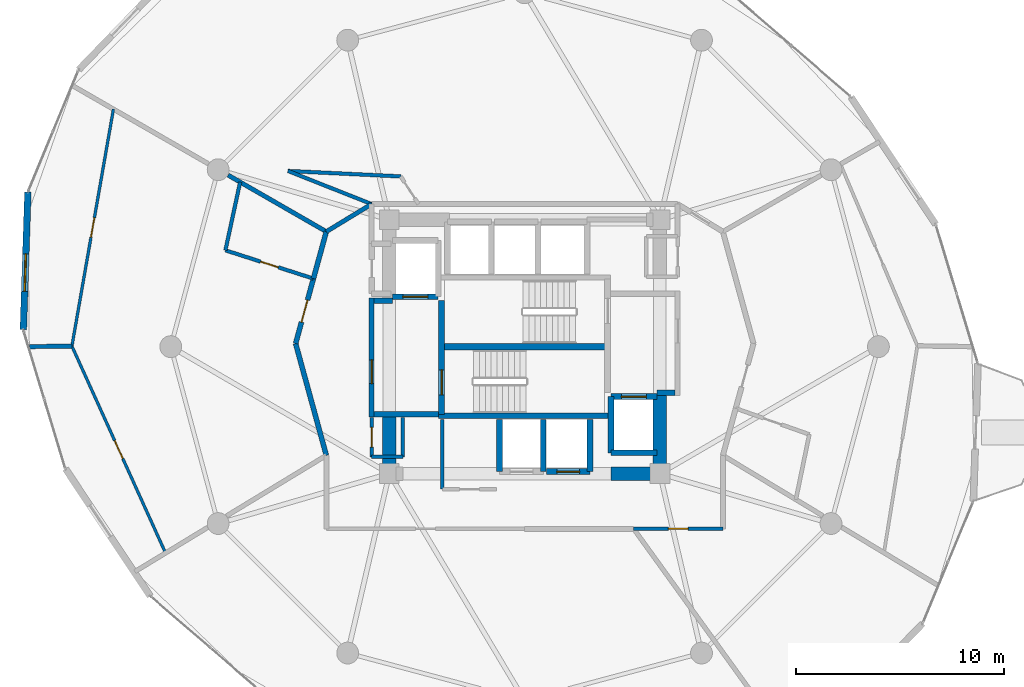
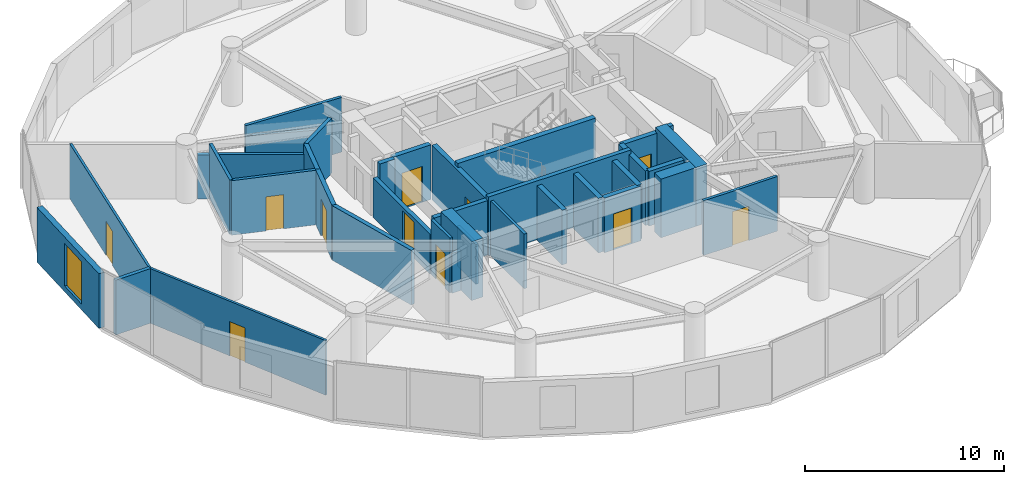
# One storey, part 21 of 26: 36 walls, 11 doors, 1 window, 12 openings.
"""IFC4 building model written with IfcOpenShell, lengths in metres."""

from ifc_helpers import new_model, si_unit, direction, frame, frame_2d, origin, place, context, subcontext, project, spatial, rectangle, extrude, material, layer, layer_set, type_object, element, fill, save


model = new_model("IFC4")

# Units and contexts
model_context = context("Model", 3, precision=1e-05, world=origin(), true_north=direction((0.0, 1.0)))
body_context = subcontext(model_context, "Body", "Model", "MODEL_VIEW")
ifc_project = project(units=[si_unit("LENGTHUNIT", "METRE"), si_unit("AREAUNIT", "SQUARE_METRE"), si_unit("VOLUMEUNIT", "CUBIC_METRE"), si_unit("PLANEANGLEUNIT", "RADIAN"), si_unit("MASSUNIT", "GRAM", prefix="KILO")], contexts=[model_context])

# Site, building, storey
site_placement = place(None, origin())
site = spatial("IfcSite", under=ifc_project, at=site_placement, CompositionType="ELEMENT")
building_placement = place(site_placement, origin())
building = spatial("IfcBuilding", under=site, at=building_placement, Name="Solvirekh Grand Hotel", CompositionType="ELEMENT")
storey_placement = place(building_placement, frame((0.0, 0.0, 113.39990234375)))
storey = spatial("IfcBuildingStorey", under=building, at=storey_placement, Name="L28", CompositionType="ELEMENT", Elevation=113.39990234375)

# Walls
ifc_material_1 = material(Name="Concrete C50/60", Category="concrete")
ifc_layer_1 = layer(ifc_material_1, 0.35009765625)
ifc_layer_set_1 = layer_set([ifc_layer_1], Name="Concrete C50/60")
wall_type_1 = type_object("IfcWallType", Name="CoreDivWall_RC350", PredefinedType="SOLIDWALL", material=ifc_layer_set_1)
wall_1_placement = place(storey_placement, frame((-4.1298828125, -3.324951171875, 0.0), z_axis=(0.0, 0.0, 1.0), x_axis=(1.0, 0.0, 0.0)))
element("IfcWall", 1, at=wall_1_placement, inside=storey, type_object=wall_type_1, Name="L28 core stair box wall ST-S", PredefinedType="SOLIDWALL", context=body_context, shape_type="SweptSolid", body=[
    extrude(rectangle(XDim=8.259765625, YDim=0.25, at=frame_2d((4.1298828125, 0.0))), origin(), (0.0, 0.0, 1.0), 3.60009765625),
])
ifc_material_2 = material(Name="Concrete C40/50", Category="concrete")
ifc_layer_2 = layer(ifc_material_2, 0.280029296875)
ifc_layer_set_2 = layer_set([ifc_layer_2], Name="Concrete C40/50")
wall_type_2 = type_object("IfcWallType", Name="CoreShaftWall_RC280", PredefinedType="SOLIDWALL", material=ifc_layer_set_2)
for number, where, z_axis, x_axis, name in (
    (2, (-1.199951171875, -3.5, 0.0), (0.0, 0.0, 1.0), (0.0, -1.0, 0.0), "L28 MP-1 hoistway W wall"),
    (3, (0.89990234375, -6.0, 0.0), (0.0, 0.0, 1.0), (0.0, 1.0, 0.0), "L28 MP-1 hoistway E wall"),
):
    element("IfcWall", number, at=place(storey_placement, frame(where, z_axis=z_axis, x_axis=x_axis)), inside=storey, type_object=wall_type_2, Name=name, PredefinedType="SOLIDWALL", context=body_context, shape_type="SweptSolid", body=[
        extrude(rectangle(XDim=2.5, YDim=0.280029296875, at=frame_2d((1.25, 0.0))), origin(), (0.0, 0.0, 1.0), 3.35009765625),
    ])

# Wall, opening, door
wall_2_placement = place(storey_placement, frame((1.050048828125, -6.0, 0.0), z_axis=(0.0, 0.0, 1.0), x_axis=(1.0, 0.0, 0.0)))
wall_2 = element("IfcWall", 4, at=wall_2_placement, inside=storey, type_object=wall_type_2, Name="L28 MP-2 hoistway S wall", PredefinedType="SOLIDWALL", context=body_context, shape_type="SweptSolid", body=[
    extrude(rectangle(XDim=2.099853515625, YDim=0.280029296875, at=frame_2d((1.0498046875, 0.0))), origin(), (0.0, 0.0, 1.0), 3.35009765625),
])
opening_1_placement = place(wall_2_placement, frame((0.5, 0.0, 0.0)))
opening_1 = element("IfcOpeningElement", 5, at=opening_1_placement, cuts=wall_2, Name="Opening LD01", PredefinedType="OPENING", context=body_context, shape_type="SweptSolid", body=[
    extrude(rectangle(XDim=1.10009765625, YDim=2.199951171875, at=frame_2d((0.550048828125, 1.10009765625))), frame((0.0, 0.14990234375, 0.0), z_axis=(0.0, -1.0, 0.0), x_axis=(1.0, 0.0, 0.0)), (0.0, 0.0, 1.0), 0.300048828125),
])
ifc_material_3 = material(Name="Fire-Rated Steel Door Assembly", Category="steel")
door_type_1 = type_object("IfcDoorType", Name="Door_LiftLanding_1100X2200", OperationType="SLIDING_TO_LEFT", PredefinedType="DOOR", material=ifc_material_3)
door_1_placement = place(opening_1_placement, origin())
door_1 = element("IfcDoor", 6, at=door_1_placement, inside=storey, type_object=door_type_1, Name="L28 MP-2 sliding lift landing door", OperationType="SLIDING_TO_LEFT", OverallHeight=2.199951171875, OverallWidth=1.10009765625, PredefinedType="DOOR", context=body_context, shape_type="SweptSolid", body=[
    extrude(rectangle(XDim=1.10009765625, YDim=2.199951171875, at=frame_2d((0.550048828125, 1.10009765625))), frame((0.0, 0.02490234375, 0.0), z_axis=(0.0, -1.0, 0.0), x_axis=(1.0, 0.0, 0.0)), (0.0, 0.0, 1.0), 0.050048828125),
])
fill(opening_1, door_1)

# Wall
wall_3_placement = place(storey_placement, frame((3.14990234375, -6.0, 0.0), z_axis=(0.0, 0.0, 1.0), x_axis=(0.0, 1.0, 0.0)))
element("IfcWall", 7, at=wall_3_placement, inside=storey, type_object=wall_type_2, Name="L28 MP-2 hoistway E wall", PredefinedType="SOLIDWALL", context=body_context, shape_type="SweptSolid", body=[
    extrude(rectangle(XDim=2.5, YDim=0.280029296875, at=frame_2d((1.25, 0.0))), origin(), (0.0, 0.0, 1.0), 3.35009765625),
])

# Wall, opening, door
wall_4_placement = place(storey_placement, frame((-6.35009765625, 2.39990234375, 0.0), z_axis=(0.0, 0.0, 1.0), x_axis=(1.0, 0.0, 0.0)))
wall_4 = element("IfcWall", 8, at=wall_4_placement, inside=storey, type_object=wall_type_2, Name="L28 FL-1 hoistway S wall", PredefinedType="SOLIDWALL", context=body_context, shape_type="SweptSolid", body=[
    extrude(rectangle(XDim=2.2001953125, YDim=0.280029296875, at=frame_2d((1.10009765625, 0.0))), origin(), (0.0, 0.0, 1.0), 3.35009765625),
])
opening_2_placement = place(wall_4_placement, frame((0.5, 0.0, 0.0)))
opening_2 = element("IfcOpeningElement", 9, at=opening_2_placement, cuts=wall_4, Name="Opening LD02", PredefinedType="OPENING", context=body_context, shape_type="SweptSolid", body=[
    extrude(rectangle(XDim=1.199951171875, YDim=2.199951171875, at=frame_2d((0.60009765625, 1.10009765625))), frame((0.0, 0.14990234375, 0.0), z_axis=(0.0, -1.0, 0.0), x_axis=(1.0, 0.0, 0.0)), (0.0, 0.0, 1.0), 0.300048828125),
])
door_type_2 = type_object("IfcDoorType", Name="Door_LiftFF_1200X2200", OperationType="SLIDING_TO_LEFT", PredefinedType="DOOR", material=ifc_material_3)
door_2_placement = place(opening_2_placement, origin())
door_2 = element("IfcDoor", 10, at=door_2_placement, inside=storey, type_object=door_type_2, Name="L28 FL-1 sliding lift landing door", OperationType="SLIDING_TO_LEFT", OverallHeight=2.199951171875, OverallWidth=1.199951171875, PredefinedType="DOOR", context=body_context, shape_type="SweptSolid", body=[
    extrude(rectangle(XDim=1.199951171875, YDim=2.199951171875, at=frame_2d((0.60009765625, 1.10009765625))), frame((0.0, 0.02490234375, 0.0), z_axis=(0.0, -1.0, 0.0), x_axis=(1.0, 0.0, 0.0)), (0.0, 0.0, 1.0), 0.050048828125),
])
fill(opening_2, door_2)

# Wall
wall_5_placement = place(storey_placement, frame((4.14990234375, -5.10009765625, 0.0), z_axis=(0.0, 0.0, 1.0), x_axis=(1.0, 0.0, 0.0)))
element("IfcWall", 11, at=wall_5_placement, inside=storey, type_object=wall_type_2, Name="L28 FL-2 hoistway S wall", PredefinedType="SOLIDWALL", context=body_context, shape_type="SweptSolid", body=[
    extrude(rectangle(XDim=2.2001953125, YDim=0.280029296875, at=frame_2d((1.10009765625, 0.0))), origin(), (0.0, 0.0, 1.0), 3.35009765625),
])

# Wall, opening, door
wall_6_placement = place(storey_placement, frame((6.35009765625, -2.39990234375, 0.0), z_axis=(0.0, 0.0, 1.0), x_axis=(-1.0, 0.0, 0.0)))
wall_6 = element("IfcWall", 12, at=wall_6_placement, inside=storey, type_object=wall_type_2, Name="L28 FL-2 hoistway N wall", PredefinedType="SOLIDWALL", context=body_context, shape_type="SweptSolid", body=[
    extrude(rectangle(XDim=2.2001953125, YDim=0.280029296875, at=frame_2d((1.10009765625, 0.0))), origin(), (0.0, 0.0, 1.0), 3.35009765625),
])
opening_3_placement = place(wall_6_placement, frame((0.5, 0.0, 0.0)))
opening_3 = element("IfcOpeningElement", 13, at=opening_3_placement, cuts=wall_6, Name="Opening LD02", PredefinedType="OPENING", context=body_context, shape_type="SweptSolid", body=[
    extrude(rectangle(XDim=1.199951171875, YDim=2.199951171875, at=frame_2d((0.60009765625, 1.10009765625))), frame((0.0, 0.14990234375, 0.0), z_axis=(0.0, -1.0, 0.0), x_axis=(1.0, 0.0, 0.0)), (0.0, 0.0, 1.0), 0.300048828125),
])
door_3_placement = place(opening_3_placement, origin())
door_3 = element("IfcDoor", 14, at=door_3_placement, inside=storey, type_object=door_type_2, Name="L28 FL-2 sliding lift landing door", OperationType="SLIDING_TO_LEFT", OverallHeight=2.199951171875, OverallWidth=1.199951171875, PredefinedType="DOOR", context=body_context, shape_type="SweptSolid", body=[
    extrude(rectangle(XDim=1.199951171875, YDim=2.199951171875, at=frame_2d((0.60009765625, 1.10009765625))), frame((0.0, 0.02490234375, 0.0), z_axis=(0.0, -1.0, 0.0), x_axis=(1.0, 0.0, 0.0)), (0.0, 0.0, 1.0), 0.050048828125),
])
fill(opening_3, door_3)

# Wall
wall_7_placement = place(storey_placement, frame((4.14990234375, -2.39990234375, 0.0), z_axis=(0.0, 0.0, 1.0), x_axis=(0.0, -1.0, 0.0)))
element("IfcWall", 15, at=wall_7_placement, inside=storey, type_object=wall_type_2, Name="L28 FL-2 hoistway W wall", PredefinedType="SOLIDWALL", context=body_context, shape_type="SweptSolid", body=[
    extrude(rectangle(XDim=2.7001953125, YDim=0.280029296875, at=frame_2d((1.35009765625, 0.0))), origin(), (0.0, 0.0, 1.0), 3.35009765625),
])

# Wall, opening, door
wall_8_placement = place(storey_placement, frame((-3.989990234375, -3.25, 0.0), z_axis=(0.0, 0.0, 1.0), x_axis=(0.0, 1.0, 0.0)))
wall_8 = element("IfcWall", 16, at=wall_8_placement, inside=storey, type_object=wall_type_2, Name="L28 west stair landing enclosure wall", PredefinedType="SOLIDWALL", context=body_context, shape_type="SweptSolid", body=[
    extrude(rectangle(XDim=5.4599609375, YDim=0.280029296875, at=frame_2d((2.72998046875, 0.0))), origin(), (0.0, 0.0, 1.0), 3.35009765625),
])
opening_4_placement = place(wall_8_placement, frame((0.93701171875, 0.0, 0.0)))
opening_4 = element("IfcOpeningElement", 17, at=opening_4_placement, cuts=wall_8, Name="Opening D05", PredefinedType="OPENING", context=body_context, shape_type="SweptSolid", body=[
    extrude(rectangle(XDim=1.199951171875, YDim=2.199951171875, at=frame_2d((0.60009765625, 1.10009765625))), frame((0.0, 0.14990234375, 0.0), z_axis=(0.0, -1.0, 0.0), x_axis=(1.0, 0.0, 0.0)), (0.0, 0.0, 1.0), 0.300048828125),
])
door_type_3 = type_object("IfcDoorType", Name="Door_StairCore_1200X2200", OperationType="NOTDEFINED", PredefinedType="DOOR", material=ifc_material_3)
door_4_placement = place(opening_4_placement, origin())
door_4 = element("IfcDoor", 18, at=door_4_placement, inside=storey, type_object=door_type_3, Name="L28 exit stair ST-1 fire door", OperationType="SINGLE_SWING_RIGHT", OverallHeight=2.199951171875, OverallWidth=1.199951171875, PredefinedType="DOOR", context=body_context, shape_type="SweptSolid", body=[
    extrude(rectangle(XDim=1.199951171875, YDim=2.199951171875, at=frame_2d((0.60009765625, 1.10009765625))), frame((0.0, 0.02490234375, 0.0), z_axis=(0.0, -1.0, 0.0), x_axis=(1.0, 0.0, 0.0)), (0.0, 0.0, 1.0), 0.050048828125),
])
fill(opening_4, door_4)

# Walls
ifc_layer_3 = layer(ifc_material_1, 0.64990234375)
ifc_layer_set_3 = layer_set([ifc_layer_3], Name="Concrete C50/60")
wall_type_3 = type_object("IfcWallType", Name="CoreWall_RC650", PredefinedType="SHEAR", material=ifc_layer_set_3)
wall_9_placement = place(storey_placement, frame((-3.989990234375, 0.0, 0.0), z_axis=(0.0, 0.0, 1.0), x_axis=(1.0, 0.0, 0.0)))
element("IfcWall", 19, at=wall_9_placement, inside=storey, type_object=wall_type_3, Name="L28 central stair-spine shear wall", PredefinedType="SHEAR", context=body_context, shape_type="SweptSolid", body=[
    extrude(rectangle(XDim=7.97998046875, YDim=0.300048828125, at=frame_2d((3.989990234375, 0.0))), origin(), (0.0, 0.0, 1.0), 3.60009765625),
])
wall_10_placement = place(storey_placement, frame((4.14990234375, -6.10009765625, 0.0), z_axis=(0.0, 0.0, 1.0), x_axis=(1.0, 0.0, 0.0)))
element("IfcWall", 20, at=wall_10_placement, inside=storey, type_object=wall_type_3, Name="L28 core corner shear wall SE-S", PredefinedType="SHEAR", context=body_context, shape_type="SweptSolid", body=[
    extrude(rectangle(XDim=2.025146484375, YDim=0.64990234375, at=frame_2d((1.0126953125, 0.0))), origin(), (0.0, 0.0, 1.0), 3.60009765625),
])
wall_11_placement = place(storey_placement, frame((-6.5, -6.425048828125, 0.0), z_axis=(0.0, 0.0, 1.0), x_axis=(0.0, 1.0, 0.0)))
element("IfcWall", 21, at=wall_11_placement, inside=storey, type_object=wall_type_3, Name="L28 core corner shear wall WS-W", PredefinedType="SHEAR", context=body_context, shape_type="SweptSolid", body=[
    extrude(rectangle(XDim=3.074951171875, YDim=0.64990234375, at=frame_2d((1.53759765625, 0.0))), origin(), (0.0, 0.0, 1.0), 3.60009765625),
])
wall_12_placement = place(storey_placement, frame((6.5, -6.425048828125, 0.0), z_axis=(0.0, 0.0, 1.0), x_axis=(0.0, 1.0, 0.0)))
element("IfcWall", 22, at=wall_12_placement, inside=storey, type_object=wall_type_3, Name="L28 core corner shear wall ES-E", PredefinedType="SHEAR", context=body_context, shape_type="SweptSolid", body=[
    extrude(rectangle(XDim=4.074951171875, YDim=0.64990234375, at=frame_2d((2.03759765625, 0.0))), origin(), (0.0, 0.0, 1.0), 3.60009765625),
])

# Wall, opening, window
ifc_material_4 = material(Name="Precast concrete C45/55", Category="concrete")
ifc_layer_4 = layer(ifc_material_4, 0.320068359375)
ifc_layer_set_4 = layer_set([ifc_layer_4], Name="Precast concrete C45/55")
wall_type_4 = type_object("IfcWallType", Name="ExtLobbyWall_RC320", PredefinedType="SOLIDWALL", material=ifc_layer_set_4)
wall_13_placement = place(storey_placement, frame((-24.0830078125, 0.81494140625, 0.0), z_axis=(0.0, 0.0, 1.0), x_axis=(0.033116914102, 0.999451484566, 0.0)))
wall_13 = element("IfcWall", 23, at=wall_13_placement, inside=storey, type_object=wall_type_4, Name="L28 exterior structural wall chord 12", PredefinedType="SOLIDWALL", context=body_context, shape_type="SweptSolid", body=[
    extrude(rectangle(XDim=6.61279296875, YDim=0.320068359375, at=frame_2d((3.306396484375, 0.0))), origin(), (0.0, 0.0, 1.0), 3.35009765625),
])
opening_5_placement = place(wall_13_placement, frame((1.841064453125, 0.0, 0.35009765625)))
opening_5 = element("IfcOpeningElement", 24, at=opening_5_placement, cuts=wall_13, Name="Opening W02", PredefinedType="OPENING", context=body_context, shape_type="SweptSolid", body=[
    extrude(rectangle(XDim=1.800048828125, YDim=2.60009765625, at=frame_2d((0.89990234375, 1.300048828125))), frame((0.0, 0.169921875, 0.0), z_axis=(0.0, -1.0, 0.0), x_axis=(1.0, 0.0, 0.0)), (0.0, 0.0, 1.0), 0.340087890625),
])
ifc_material_5 = material(Name="Low-E Tinted Bronze Laminated Glass", Category="aluminium")
window_type = type_object("IfcWindowType", Name="Win_LobbyExt_1800X2600", PartitioningType="SINGLE_PANEL", PredefinedType="WINDOW", material=ifc_material_5)
window_placement = place(opening_5_placement, origin())
window = element("IfcWindow", 25, at=window_placement, inside=storey, type_object=window_type, Name="L28 panoramic bronze-framed window 12", OverallHeight=2.60009765625, OverallWidth=1.800048828125, PartitioningType="SINGLE_PANEL", PredefinedType="WINDOW", context=body_context, shape_type="SweptSolid", body=[
    extrude(rectangle(XDim=1.800048828125, YDim=2.60009765625, at=frame_2d((0.89990234375, 1.300048828125))), frame((0.0, 0.030029296875, 0.0), z_axis=(0.0, -1.0, 0.0), x_axis=(1.0, 0.0, 0.0)), (0.0, 0.0, 1.0), 0.06005859375),
])
fill(opening_5, window)

# Walls
ifc_material_6 = material(Name="Acoustic Gypsum Partition Assembly")
ifc_layer_5 = layer(ifc_material_6, 0.1650390625)
ifc_layer_set_5 = layer_set([ifc_layer_5], Name="Acoustic Gypsum Partition Assembly")
wall_type_5 = type_object("IfcWallType", Name="Part_BOH_165", PredefinedType="PARTITIONING", material=ifc_layer_set_5)
wall_14_placement = place(storey_placement, frame((-7.35009765625, -5.300048828125, 0.0), z_axis=(0.0, 0.0, 1.0), x_axis=(1.0, 0.0, 0.0)))
element("IfcWall", 26, at=wall_14_placement, inside=storey, type_object=wall_type_5, Name="L28 L28 Butler Service Closet wall 1", PredefinedType="PARTITIONING", context=body_context, shape_type="SweptSolid", body=[
    extrude(rectangle(XDim=1.5, YDim=0.1650390625, at=frame_2d((0.75, 0.0))), origin(), (0.0, 0.0, 1.0), 2.43505859375),
])
wall_15_placement = place(storey_placement, frame((-5.85009765625, -5.300048828125, 0.0), z_axis=(0.0, 0.0, 1.0), x_axis=(0.0, 1.0, 0.0)))
element("IfcWall", 27, at=wall_15_placement, inside=storey, type_object=wall_type_5, Name="L28 L28 Butler Service Closet wall 2", PredefinedType="PARTITIONING", context=body_context, shape_type="SweptSolid", body=[
    extrude(rectangle(XDim=1.900146484375, YDim=0.1650390625, at=frame_2d((0.9501953125, 0.0))), origin(), (0.0, 0.0, 1.0), 2.43505859375),
])

# Wall, opening, door
wall_16_placement = place(storey_placement, frame((-7.35009765625, -3.39990234375, 0.0), z_axis=(0.0, 0.0, 1.0), x_axis=(0.0, -1.0, 0.0)))
wall_16 = element("IfcWall", 28, at=wall_16_placement, inside=storey, type_object=wall_type_5, Name="L28 L28 Butler Service Closet wall 4", PredefinedType="PARTITIONING", context=body_context, shape_type="SweptSolid", body=[
    extrude(rectangle(XDim=1.900146484375, YDim=0.1650390625, at=frame_2d((0.9501953125, 0.0))), origin(), (0.0, 0.0, 1.0), 3.35009765625),
])
opening_6_placement = place(wall_16_placement, frame((0.47509765625, 0.0, 0.0)))
opening_6 = element("IfcOpeningElement", 29, at=opening_6_placement, cuts=wall_16, Name="Opening D10", PredefinedType="OPENING", context=body_context, shape_type="SweptSolid", body=[
    extrude(rectangle(XDim=0.949951171875, YDim=2.10009765625, at=frame_2d((0.47509765625, 1.050048828125))), frame((0.0, 0.092529296875, 0.0), z_axis=(0.0, -1.0, 0.0), x_axis=(1.0, 0.0, 0.0)), (0.0, 0.0, 1.0), 0.18505859375),
])
ifc_material_7 = material(Name="Anodized Bronze Aluminium 6063-T6", Category="aluminium")
door_type_4 = type_object("IfcDoorType", Name="Door_RoomInt_950X2100", OperationType="NOTDEFINED", PredefinedType="DOOR", material=ifc_material_7)
door_5_placement = place(opening_6_placement, origin())
door_5 = element("IfcDoor", 30, at=door_5_placement, inside=storey, type_object=door_type_4, Name="L28 L28 Butler Service Closet door", OperationType="SINGLE_SWING_LEFT", OverallHeight=2.10009765625, OverallWidth=0.949951171875, PredefinedType="DOOR", context=body_context, shape_type="SweptSolid", body=[
    extrude(rectangle(XDim=0.949951171875, YDim=2.10009765625, at=frame_2d((0.47509765625, 1.050048828125))), frame((0.0, 0.02490234375, 0.0), z_axis=(0.0, -1.0, 0.0), x_axis=(1.0, 0.0, 0.0)), (0.0, 0.0, 1.0), 0.050048828125),
])
fill(opening_6, door_5)

# Wall
wall_17_placement = place(storey_placement, frame((-3.949951171875, -3.5, 0.0), z_axis=(0.0, 0.0, 1.0), x_axis=(0.0, -1.0, 0.0)))
element("IfcWall", 31, at=wall_17_placement, inside=storey, type_object=wall_type_5, Name="L28 Mid-Zone Housekeeping Room wall 4", PredefinedType="PARTITIONING", context=body_context, shape_type="SweptSolid", body=[
    extrude(rectangle(XDim=3.35009765625, YDim=0.1650390625, at=frame_2d((1.675048828125, 0.0))), origin(), (0.0, 0.0, 1.0), 3.35009765625),
])

# Wall, opening, door
wall_18_placement = place(storey_placement, frame((5.239013671875, -8.75, 0.0), z_axis=(0.0, 0.0, 1.0), x_axis=(1.0, 0.0, 0.0)))
wall_18 = element("IfcWall", 32, at=wall_18_placement, inside=storey, type_object=wall_type_5, Name="L28 L28 Butler Valet & Linen Steward Room entrance wall", PredefinedType="PARTITIONING", context=body_context, shape_type="SweptSolid", body=[
    extrude(rectangle(XDim=4.286865234375, YDim=0.1650390625, at=frame_2d((2.1435546875, 0.0))), origin(), (0.0, 0.0, 1.0), 3.35009765625),
])
opening_7_placement = place(wall_18_placement, frame((1.66796875, 0.0, 0.0)))
opening_7 = element("IfcOpeningElement", 33, at=opening_7_placement, cuts=wall_18, Name="Opening D10", PredefinedType="OPENING", context=body_context, shape_type="SweptSolid", body=[
    extrude(rectangle(XDim=0.949951171875, YDim=2.10009765625, at=frame_2d((0.47509765625, 1.050048828125))), frame((0.0, 0.092529296875, 0.0), z_axis=(0.0, -1.0, 0.0), x_axis=(1.0, 0.0, 0.0)), (0.0, 0.0, 1.0), 0.18505859375),
])
door_6_placement = place(opening_7_placement, origin())
door_6 = element("IfcDoor", 34, at=door_6_placement, inside=storey, type_object=door_type_4, Name="L28 L28 Butler Valet & Linen Steward Room entrance door", OperationType="SINGLE_SWING_LEFT", OverallHeight=2.10009765625, OverallWidth=0.949951171875, PredefinedType="DOOR", context=body_context, shape_type="SweptSolid", body=[
    extrude(rectangle(XDim=0.949951171875, YDim=2.10009765625, at=frame_2d((0.47509765625, 1.050048828125))), frame((0.0, 0.02490234375, 0.0), z_axis=(0.0, -1.0, 0.0), x_axis=(1.0, 0.0, 0.0)), (0.0, 0.0, 1.0), 0.050048828125),
])
fill(opening_7, door_6)

ifc_layer_6 = layer(ifc_material_6, 0.239990234375)
ifc_layer_set_6 = layer_set([ifc_layer_6], Name="Acoustic Gypsum Partition Assembly")
wall_type_6 = type_object("IfcWallType", Name="Part_Corridor_240", PredefinedType="PARTITIONING", material=ifc_layer_set_6)
wall_19_placement = place(storey_placement, frame((-7.35009765625, -3.3798828125, 0.0), z_axis=(0.0, 0.0, 1.0), x_axis=(0.0, 1.0, 0.0)))
wall_19 = element("IfcWall", 35, at=wall_19_placement, inside=storey, type_object=wall_type_6, Name="L28 west firefighting lobby smoke screen wall", PredefinedType="PARTITIONING", context=body_context, shape_type="SweptSolid", body=[
    extrude(rectangle(XDim=5.719970703125, YDim=0.239990234375, at=frame_2d((2.85986328125, 0.0))), origin(), (0.0, 0.0, 1.0), 2.43505859375),
])
opening_8_placement = place(wall_19_placement, frame((1.59912109375, 0.0, 0.0)))
opening_8 = element("IfcOpeningElement", 36, at=opening_8_placement, cuts=wall_19, Name="Opening D06", PredefinedType="OPENING", context=body_context, shape_type="SweptSolid", body=[
    extrude(rectangle(XDim=1.14990234375, YDim=2.199951171875, at=frame_2d((0.574951171875, 1.10009765625))), frame((0.0, 0.1298828125, 0.0), z_axis=(0.0, -1.0, 0.0), x_axis=(1.0, 0.0, 0.0)), (0.0, 0.0, 1.0), 0.260009765625),
])
door_type_5 = type_object("IfcDoorType", Name="Door_FFLobby_1150X2200", OperationType="NOTDEFINED", PredefinedType="DOOR", material=ifc_material_3)
door_7_placement = place(opening_8_placement, origin())
door_7 = element("IfcDoor", 37, at=door_7_placement, inside=storey, type_object=door_type_5, Name="L28 west firefighting lobby smoke door", OperationType="SINGLE_SWING_RIGHT", OverallHeight=2.199951171875, OverallWidth=1.14990234375, PredefinedType="DOOR", context=body_context, shape_type="SweptSolid", body=[
    extrude(rectangle(XDim=1.14990234375, YDim=2.199951171875, at=frame_2d((0.574951171875, 1.10009765625))), frame((0.0, 0.02490234375, 0.0), z_axis=(0.0, -1.0, 0.0), x_axis=(1.0, 0.0, 0.0)), (0.0, 0.0, 1.0), 0.050048828125),
])
fill(opening_8, door_7)

# Walls
wall_20_placement = place(storey_placement, frame((-9.52587890625, 5.52490234375, 0.0), z_axis=(0.0, 0.0, 1.0), x_axis=(-0.264564800962, -0.964367910132, 0.0)))
element("IfcWall", 38, at=wall_20_placement, inside=storey, type_object=wall_type_6, Name="L28 En-suite Bathroom 3002 corridor backing wall", PredefinedType="PARTITIONING", context=body_context, shape_type="SweptSolid", body=[
    extrude(rectangle(XDim=2.34033203125, YDim=0.239990234375, at=frame_2d((1.170166015625, 0.0))), origin(), (0.0, 0.0, 1.0), 3.35009765625),
])
wall_21_placement = place(storey_placement, frame((-11.0, 0.14990234375, 0.0), z_axis=(0.0, 0.0, 1.0), x_axis=(0.264488542062, -0.964388827765, 0.0)))
element("IfcWall", 39, at=wall_21_placement, inside=storey, type_object=wall_type_6, Name="L28 Executive Suite 3002 Living Room corridor wall 1", PredefinedType="PARTITIONING", context=body_context, shape_type="SweptSolid", body=[
    extrude(rectangle(XDim=5.573486328125, YDim=0.239990234375, at=frame_2d((2.78662109375, 0.0))), origin(), (0.0, 0.0, 1.0), 3.35009765625),
])

# Wall, opening, door
wall_22_placement = place(storey_placement, frame((-10.14501953125, 3.26806640625, 0.0), z_axis=(0.0, 0.0, 1.0), x_axis=(-0.264433345006, -0.96440396414, 0.0)))
wall_22 = element("IfcWall", 40, at=wall_22_placement, inside=storey, type_object=wall_type_6, Name="L28 Executive Suite 3002 Living Room entrance wall", PredefinedType="PARTITIONING", context=body_context, shape_type="SweptSolid", body=[
    extrude(rectangle(XDim=3.233154296875, YDim=0.239990234375, at=frame_2d((1.61669921875, 0.0))), origin(), (0.0, 0.0, 1.0), 3.35009765625),
])
opening_9_placement = place(wall_22_placement, frame((1.06689453125, 0.0, 0.0)))
opening_9 = element("IfcOpeningElement", 41, at=opening_9_placement, cuts=wall_22, Name="Opening D08", PredefinedType="OPENING", context=body_context, shape_type="SweptSolid", body=[
    extrude(rectangle(XDim=1.10009765625, YDim=2.300048828125, at=frame_2d((0.550048828125, 1.14990234375))), frame((0.0, 0.1298828125, 0.0), z_axis=(0.0, -1.0, 0.0), x_axis=(1.0, 0.0, 0.0)), (0.0, 0.0, 1.0), 0.260009765625),
])
door_type_6 = type_object("IfcDoorType", Name="Door_SuiteEntry_1100X2300", OperationType="NOTDEFINED", PredefinedType="DOOR", material=ifc_material_3)
door_8_placement = place(opening_9_placement, origin())
door_8 = element("IfcDoor", 42, at=door_8_placement, inside=storey, type_object=door_type_6, Name="L28 Executive Suite 3002 Living Room entrance door", OperationType="SINGLE_SWING_LEFT", OverallHeight=2.300048828125, OverallWidth=1.10009765625, PredefinedType="DOOR", context=body_context, shape_type="SweptSolid", body=[
    extrude(rectangle(XDim=1.10009765625, YDim=2.300048828125, at=frame_2d((0.550048828125, 1.14990234375))), frame((0.0, 0.02490234375, 0.0), z_axis=(0.0, -1.0, 0.0), x_axis=(1.0, 0.0, 0.0)), (0.0, 0.0, 1.0), 0.050048828125),
])
fill(opening_9, door_8)

# Walls
ifc_layer_7 = layer(ifc_material_6, 0.260009765625)
ifc_layer_set_7 = layer_set([ifc_layer_7], Name="Acoustic Gypsum Partition Assembly")
wall_type_7 = type_object("IfcWallType", Name="Part_LobbyFF_260", PredefinedType="PARTITIONING", material=ifc_layer_set_7)
wall_23_placement = place(storey_placement, frame((-7.22509765625, -3.25, 0.0), z_axis=(0.0, 0.0, 1.0), x_axis=(1.0, 0.0, 0.0)))
element("IfcWall", 43, at=wall_23_placement, inside=storey, type_object=wall_type_7, Name="L28 west firefighting lobby south partition", PredefinedType="PARTITIONING", context=body_context, shape_type="SweptSolid", body=[
    extrude(rectangle(XDim=3.09521484375, YDim=0.260009765625, at=frame_2d((1.547607421875, 0.0))), origin(), (0.0, 0.0, 1.0), 3.35009765625),
])
for number, where, z_axis, x_axis, name in (
    (44, (-7.22509765625, 2.2099609375, 0.0), (0.0, 0.0, 1.0), (1.0, 0.0, 0.0), "L28 west firefighting lobby NW cheek"),
    (45, (6.35009765625, -2.2099609375, 0.0), (0.0, 0.0, 1.0), (1.0, 0.0, 0.0), "L28 east firefighting lobby SE cheek"),
):
    element("IfcWall", number, at=place(storey_placement, frame(where, z_axis=z_axis, x_axis=x_axis)), inside=storey, type_object=wall_type_7, Name=name, PredefinedType="PARTITIONING", context=body_context, shape_type="SweptSolid", body=[
        extrude(rectangle(XDim=0.875, YDim=0.260009765625, at=frame_2d((0.4375, 0.0))), origin(), (0.0, 0.0, 1.0), 3.35009765625),
    ])

# Wall, opening, door
ifc_layer_8 = layer(ifc_material_6, 0.135009765625)
ifc_layer_set_8 = layer_set([ifc_layer_8], Name="Acoustic Gypsum Partition Assembly")
wall_type_8 = type_object("IfcWallType", Name="Part_RoomInt_135", PredefinedType="PARTITIONING", material=ifc_layer_set_8)
wall_24_placement = place(storey_placement, frame((-19.75390625, 11.408935546875, 0.0), z_axis=(0.0, 0.0, 1.0), x_axis=(-0.172610378103, -0.984990181358, 0.0)))
wall_24 = element("IfcWall", 46, at=wall_24_placement, inside=storey, type_object=wall_type_8, Name="L28 Executive Suite 3002 Living Room bedroom screen wall", PredefinedType="PARTITIONING", context=body_context, shape_type="SweptSolid", body=[
    extrude(rectangle(XDim=11.55859375, YDim=0.135009765625, at=frame_2d((5.779296875, 0.0))), origin(), (0.0, 0.0, 1.0), 3.35009765625),
])
opening_10_placement = place(wall_24_placement, frame((5.303955078125, 0.0, 0.0)))
opening_10 = element("IfcOpeningElement", 47, at=opening_10_placement, cuts=wall_24, Name="Opening D10", PredefinedType="OPENING", context=body_context, shape_type="SweptSolid", body=[
    extrude(rectangle(XDim=0.949951171875, YDim=2.10009765625, at=frame_2d((0.47509765625, 1.050048828125))), frame((0.0, 0.07763671875, 0.0), z_axis=(0.0, -1.0, 0.0), x_axis=(1.0, 0.0, 0.0)), (0.0, 0.0, 1.0), 0.155029296875),
])
door_9_placement = place(opening_10_placement, origin())
door_9 = element("IfcDoor", 48, at=door_9_placement, inside=storey, type_object=door_type_4, Name="L28 Executive Suite 3002 Living Room master bedroom door", OperationType="SINGLE_SWING_RIGHT", OverallHeight=2.10009765625, OverallWidth=0.949951171875, PredefinedType="DOOR", context=body_context, shape_type="SweptSolid", body=[
    extrude(rectangle(XDim=0.949951171875, YDim=2.10009765625, at=frame_2d((0.47509765625, 1.050048828125))), frame((0.0, 0.02490234375, 0.0), z_axis=(0.0, -1.0, 0.0), x_axis=(1.0, 0.0, 0.0)), (0.0, 0.0, 1.0), 0.050048828125),
])
fill(opening_10, door_9)

wall_25_placement = place(storey_placement, frame((-21.7490234375, 0.02392578125, 0.0), z_axis=(0.0, 0.0, 1.0), x_axis=(0.412382814091, -0.911010655614, 0.0)))
wall_25 = element("IfcWall", 49, at=wall_25_placement, inside=storey, type_object=wall_type_8, Name="L28 Executive Suite 3002 Panorama Suite Study bedroom screen wall", PredefinedType="PARTITIONING", context=body_context, shape_type="SweptSolid", body=[
    extrude(rectangle(XDim=10.909912109375, YDim=0.135009765625, at=frame_2d((5.455078125, 0.0))), origin(), (0.0, 0.0, 1.0), 3.35009765625),
])
opening_11_placement = place(wall_25_placement, frame((4.97998046875, 0.0, 0.0)))
opening_11 = element("IfcOpeningElement", 50, at=opening_11_placement, cuts=wall_25, Name="Opening D10", PredefinedType="OPENING", context=body_context, shape_type="SweptSolid", body=[
    extrude(rectangle(XDim=0.949951171875, YDim=2.10009765625, at=frame_2d((0.47509765625, 1.050048828125))), frame((0.0, 0.07763671875, 0.0), z_axis=(0.0, -1.0, 0.0), x_axis=(1.0, 0.0, 0.0)), (0.0, 0.0, 1.0), 0.155029296875),
])
door_10_placement = place(opening_11_placement, origin())
door_10 = element("IfcDoor", 51, at=door_10_placement, inside=storey, type_object=door_type_4, Name="L28 Executive Suite 3002 Panorama Suite Study master bedroom door", OperationType="SINGLE_SWING_LEFT", OverallHeight=2.10009765625, OverallWidth=0.949951171875, PredefinedType="DOOR", context=body_context, shape_type="SweptSolid", body=[
    extrude(rectangle(XDim=0.949951171875, YDim=2.10009765625, at=frame_2d((0.47509765625, 1.050048828125))), frame((0.0, 0.02490234375, 0.0), z_axis=(0.0, -1.0, 0.0), x_axis=(1.0, 0.0, 0.0)), (0.0, 0.0, 1.0), 0.050048828125),
])
fill(opening_11, door_10)

# Walls
ifc_layer_9 = layer(ifc_material_6, 0.2099609375)
ifc_layer_set_9 = layer_set([ifc_layer_9], Name="Acoustic Gypsum Partition Assembly")
wall_type_9 = type_object("IfcWallType", Name="Part_SuiteDemise_210", PredefinedType="PARTITIONING", material=ifc_layer_set_9)
wall_26_placement = place(storey_placement, frame((-9.52587890625, 5.52490234375, 0.0), z_axis=(0.0, 0.0, 1.0), x_axis=(-0.866806949329, 0.498643873516, 0.0)))
element("IfcWall", 52, at=wall_26_placement, inside=storey, type_object=wall_type_9, Name="L28 suite radial wall 6 (A)", PredefinedType="PARTITIONING", context=body_context, shape_type="SweptSolid", body=[
    extrude(rectangle(XDim=5.44287109375, YDim=0.2099609375, at=frame_2d((2.721435546875, 0.0))), origin(), (0.0, 0.0, 1.0), 2.718017578125),
])
wall_27_placement = place(storey_placement, frame((-9.52587890625, 5.52490234375, 0.0), z_axis=(0.0, 0.0, 1.0), x_axis=(0.854057882133, 0.520177982969, 0.0)))
element("IfcWall", 53, at=wall_27_placement, inside=storey, type_object=wall_type_9, Name="L28 Panorama Suite 3001 dividing partition 1", PredefinedType="PARTITIONING", context=body_context, shape_type="SweptSolid", body=[
    extrude(rectangle(XDim=2.547607421875, YDim=0.2099609375, at=frame_2d((1.27392578125, 0.0))), origin(), (0.0, 0.0, 1.0), 3.35009765625),
])
wall_28_placement = place(storey_placement, frame((-21.7490234375, 0.02392578125, 0.0), z_axis=(0.0, 0.0, 1.0), x_axis=(-0.999931691442, -0.011688132844, 0.0)))
element("IfcWall", 54, at=wall_28_placement, inside=storey, type_object=wall_type_9, Name="L28 Executive Suite 3002 Living Room dividing partition 1", PredefinedType="PARTITIONING", context=body_context, shape_type="SweptSolid", body=[
    extrude(rectangle(XDim=2.047119140625, YDim=0.2099609375, at=frame_2d((1.0234375, 0.0))), origin(), (0.0, 0.0, 1.0), 3.35009765625),
])
ifc_layer_10 = layer(ifc_material_6, 0.175048828125)
ifc_layer_set_10 = layer_set([ifc_layer_10], Name="Acoustic Gypsum Partition Assembly")
wall_type_10 = type_object("IfcWallType", Name="Plumb_Ensuite_175", PredefinedType="PLUMBINGWALL", material=ifc_layer_set_10)
wall_29_placement = place(storey_placement, frame((-11.368896484375, 8.43994140625, 0.0), z_axis=(0.0, 0.0, 1.0), x_axis=(0.998833567436, -0.048285655878, 0.0)))
element("IfcWall", 55, at=wall_29_placement, inside=storey, type_object=wall_type_10, Name="L28 En-suite Bathroom 3001 outer plumbing wall", PredefinedType="PLUMBINGWALL", context=body_context, shape_type="SweptSolid", body=[
    extrude(rectangle(XDim=5.42529296875, YDim=0.175048828125, at=frame_2d((2.712646484375, 0.0))), origin(), (0.0, 0.0, 1.0), 3.35009765625),
])
wall_30_placement = place(storey_placement, frame((-11.368896484375, 8.43994140625, 0.0), z_axis=(0.0, 0.0, 1.0), x_axis=(0.929880296265, -0.367862249516, 0.0)))
element("IfcWall", 56, at=wall_30_placement, inside=storey, type_object=wall_type_10, Name="L28 En-suite Bathroom 3001 side plumbing wall", PredefinedType="PLUMBINGWALL", context=body_context, shape_type="SweptSolid", body=[
    extrude(rectangle(XDim=4.32177734375, YDim=0.175048828125, at=frame_2d((2.160888671875, 0.0))), origin(), (0.0, 0.0, 1.0), 2.718017578125),
])
wall_31_placement = place(storey_placement, frame((-13.666015625, 7.906982421875, 0.0), z_axis=(0.0, 0.0, 1.0), x_axis=(-0.210776507194, -0.977534277668, 0.0)))
element("IfcWall", 57, at=wall_31_placement, inside=storey, type_object=wall_type_10, Name="L28 En-suite Bathroom 3002 outer plumbing wall", PredefinedType="PLUMBINGWALL", context=body_context, shape_type="SweptSolid", body=[
    extrude(rectangle(XDim=3.3544921875, YDim=0.175048828125, at=frame_2d((1.67724609375, 0.0))), origin(), (0.0, 0.0, 1.0), 3.35009765625),
])

# Wall, opening, door
wall_32_placement = place(storey_placement, frame((-10.14501953125, 3.26806640625, 0.0), z_axis=(0.0, 0.0, 1.0), x_axis=(-0.95197249486, 0.306183554473, 0.0)))
wall_32 = element("IfcWall", 58, at=wall_32_placement, inside=storey, type_object=wall_type_10, Name="L28 En-suite Bathroom 3002 entry plumbing wall", PredefinedType="PLUMBINGWALL", context=body_context, shape_type="SweptSolid", body=[
    extrude(rectangle(XDim=4.44140625, YDim=0.175048828125, at=frame_2d((2.220703125, 0.0))), origin(), (0.0, 0.0, 1.0), 3.35009765625),
])
opening_12_placement = place(wall_32_placement, frame((1.77099609375, 0.0, 0.0)))
opening_12 = element("IfcOpeningElement", 59, at=opening_12_placement, cuts=wall_32, Name="Opening D09", PredefinedType="OPENING", context=body_context, shape_type="SweptSolid", body=[
    extrude(rectangle(XDim=0.89990234375, YDim=2.10009765625, at=frame_2d((0.449951171875, 1.050048828125))), frame((0.0, 0.09765625, 0.0), z_axis=(0.0, -1.0, 0.0), x_axis=(1.0, 0.0, 0.0)), (0.0, 0.0, 1.0), 0.195068359375),
])
door_type_7 = type_object("IfcDoorType", Name="Door_Ensuite_900X2100", OperationType="NOTDEFINED", PredefinedType="DOOR", material=ifc_material_7)
door_11_placement = place(opening_12_placement, origin())
door_11 = element("IfcDoor", 60, at=door_11_placement, inside=storey, type_object=door_type_7, Name="L28 En-suite Bathroom 3002 door", OperationType="SINGLE_SWING_RIGHT", OverallHeight=2.10009765625, OverallWidth=0.89990234375, PredefinedType="DOOR", context=body_context, shape_type="SweptSolid", body=[
    extrude(rectangle(XDim=0.89990234375, YDim=2.10009765625, at=frame_2d((0.449951171875, 1.050048828125))), frame((0.0, 0.02490234375, 0.0), z_axis=(0.0, -1.0, 0.0), x_axis=(1.0, 0.0, 0.0)), (0.0, 0.0, 1.0), 0.050048828125),
])
fill(opening_12, door_11)

save(model, "model.ifc")
